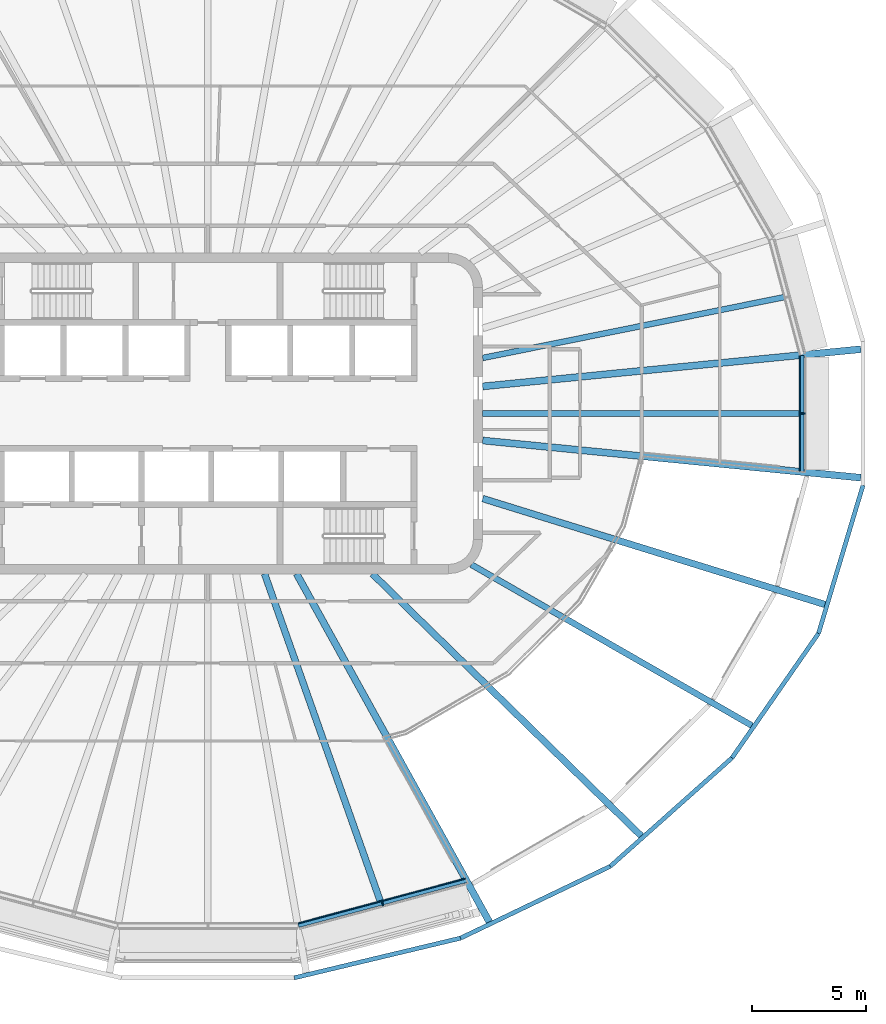
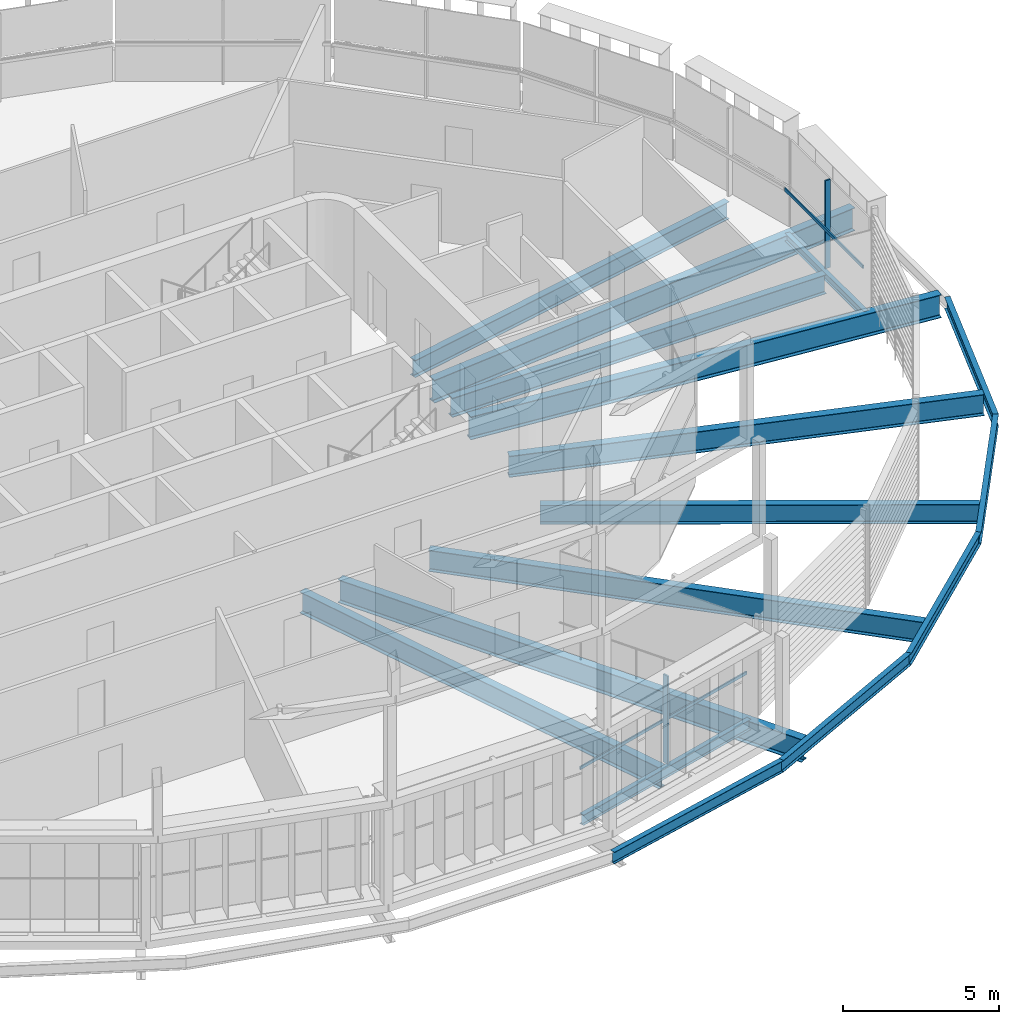
# One storey, part 3 of 18: 16 beams, 4 members, 2 elements without a shape of their own.
"""IFC4 building model written with IfcOpenShell, lengths in metres."""

from ifc_helpers import new_model, si_unit, direction, frame, origin, origin_2d, place, context, subcontext, project, spatial, rectangle, i_section, extrude, material, layer, layer_set, material_profile, profile_set, type_object, element, aggregate, save


model = new_model("IFC4")

# Units and contexts
model_context = context("Model", 3, precision=1e-05, world=origin(), true_north=direction((0.0, 1.0)))
body_context = subcontext(model_context, "Body", "Model", "MODEL_VIEW")
ifc_project = project(units=[si_unit("LENGTHUNIT", "METRE"), si_unit("AREAUNIT", "SQUARE_METRE"), si_unit("VOLUMEUNIT", "CUBIC_METRE"), si_unit("PLANEANGLEUNIT", "RADIAN"), si_unit("MASSUNIT", "GRAM", prefix="KILO")], contexts=[model_context])

# Site, building, storey
site_placement = place(None, origin())
site = spatial("IfcSite", under=ifc_project, at=site_placement, CompositionType="ELEMENT")
building_placement = place(site_placement, origin())
building = spatial("IfcBuilding", under=site, at=building_placement, Name="Sahrelin Media Tower", CompositionType="ELEMENT")
storey_placement = place(building_placement, frame((0.0, 0.0, 308.39990234375)))
storey = spatial("IfcBuildingStorey", under=building, at=storey_placement, Name="L68", CompositionType="ELEMENT", Elevation=308.39990234375)

# Beams
ifc_material_1 = material(Name="Steel S355", Category="steel")
ifc_material_profile_1 = material_profile(ifc_material_1, i_section(OverallWidth=0.1650390625, OverallDepth=0.303466796875, WebThickness=0.006103515625, FlangeThickness=0.01025390625, FilletRadius=0.0087890625, at=origin_2d()), Name="UB 305x165x40")
ifc_profile_set_1 = profile_set([ifc_material_profile_1], Name="Steel S355")
beam_type_1 = type_object("IfcBeamType", Name="Edge beam EB2", PredefinedType="BEAM", material=ifc_profile_set_1)
beam_1_placement = place(storey_placement, frame((25.948486328125, 2.53369140625, -0.301513671875), z_axis=(0.0, -1.0, 0.0), x_axis=(1.0, 0.0, 0.0)))
element("IfcBeam", 1, at=beam_1_placement, inside=storey, type_object=beam_type_1, Name="Edge beam L68-01", PredefinedType="BEAM", context=body_context, shape_type="SweptSolid", body=[
    extrude(i_section(OverallWidth=0.1650390625, OverallDepth=0.303466796875, WebThickness=0.006103515625, FlangeThickness=0.01025390625, FilletRadius=0.0087890625, at=origin_2d()), origin(), (0.0, 0.0, 1.0), 5.0673828125),
])
ifc_material_profile_2 = material_profile(ifc_material_1, i_section(OverallWidth=0.177978515625, OverallDepth=0.406494140625, WebThickness=0.0078125, FlangeThickness=0.0126953125, FilletRadius=0.01025390625, at=origin_2d()), Name="UB 406x178x60")
ifc_profile_set_2 = profile_set([ifc_material_profile_2], Name="Steel S355")
beam_type_2 = type_object("IfcBeamType", Name="Edge beam EB4", PredefinedType="BEAM", material=ifc_profile_set_2)
beam_2_placement = place(storey_placement, frame((11.292236328125, -20.39306640625, -0.35302734375), z_axis=(-0.965929690155, -0.258804624528, 0.0), x_axis=(0.258804624528, -0.965929690155, 0.0)))
element("IfcBeam", 2, at=beam_2_placement, inside=storey, type_object=beam_type_2, Name="Edge beam L68-02", PredefinedType="BEAM", context=body_context, shape_type="SweptSolid", body=[
    extrude(i_section(OverallWidth=0.177978515625, OverallDepth=0.406494140625, WebThickness=0.0078125, FlangeThickness=0.0126953125, FilletRadius=0.01025390625, at=origin_2d()), origin(), (0.0, 0.0, 1.0), 7.5966796875),
])

# Curtain wall, member
ifc_material_2 = material(Name="Champagne anodised aluminium 6063-T6", Category="aluminium")
ifc_layer = layer(ifc_material_2, 0.14990234375)
ifc_layer_set = layer_set([ifc_layer], Name="Tower ribbon curtain wall")
curtain_wall_type = type_object("IfcCurtainWallType", Name="Tower ribbon curtain wall", PredefinedType="NOTDEFINED", material=ifc_layer_set)
curtain_wall_1_placement = place(storey_placement, frame((26.098388671875, 0.0, 0.0), z_axis=(0.0, 0.0, 1.0), x_axis=(1.0, 0.0, 0.0)))
curtain_wall_1 = element("IfcCurtainWall", 3, at=curtain_wall_1_placement, inside=storey, type_object=curtain_wall_type, Name="L68:CW:L68-00", PredefinedType="NOTDEFINED")
ifc_material_profile_3 = material_profile(ifc_material_2, rectangle(XDim=0.06005859375, YDim=0.199951171875, at=origin_2d()), Name="Mullion 60x200")
ifc_profile_set_3 = profile_set([ifc_material_profile_3], Name="Champagne anodised aluminium 6063-T6")
member_type_1 = type_object("IfcMemberType", Name="Mullion 60x200 CW1C", PredefinedType="MULLION", material=ifc_profile_set_3)
member_1_placement = place(storey_placement, frame((25.978515625, 0.0, 0.0), z_axis=(0.0, 0.0, 1.0), x_axis=(0.0, 1.0, 0.0)))
member_1 = element("IfcMember", 4, at=member_1_placement, type_object=member_type_1, Name="L68:CWM:L68-00", PredefinedType="MULLION", context=body_context, shape_type="SweptSolid", body=[
    extrude(rectangle(XDim=0.06005859375, YDim=0.199951171875, at=origin_2d()), origin(), (0.0, 0.0, 1.0), 3.44873046875),
])

curtain_wall_2_placement = place(storey_placement, frame((7.662109375, -21.52099609375, 0.0), z_axis=(0.0, 0.0, 1.0), x_axis=(1.0, 0.0, 0.0)))
curtain_wall_2 = element("IfcCurtainWall", 5, at=curtain_wall_2_placement, inside=storey, type_object=curtain_wall_type, Name="L68:CW:L68-19", PredefinedType="NOTDEFINED")
member_2_placement = place(storey_placement, frame((7.631103515625, -21.405029296875, 0.0), z_axis=(0.0, 0.0, 1.0), x_axis=(0.965923115889, 0.25882916024, 0.0)))
member_2 = element("IfcMember", 6, at=member_2_placement, type_object=member_type_1, Name="L68:CWM:L68-19", PredefinedType="MULLION", context=body_context, shape_type="SweptSolid", body=[
    extrude(rectangle(XDim=0.06005859375, YDim=0.199951171875, at=origin_2d()), origin(), (0.0, 0.0, 1.0), 3.44873046875),
])

# Beams
ifc_material_profile_4 = material_profile(ifc_material_1, i_section(OverallWidth=0.291748046875, OverallDepth=0.8349609375, WebThickness=0.013916015625, FlangeThickness=0.018798828125, FilletRadius=0.017822265625, at=origin_2d()), Name="UB 838x292x176")
ifc_profile_set_4 = profile_set([ifc_material_profile_4], Name="Steel S355")
beam_type_3 = type_object("IfcBeamType", Name="Radial primary beam PB10", PredefinedType="BEAM", material=ifc_profile_set_4)
beam_3_placement = place(storey_placement, frame((7.18115234375, -7.0, -0.5673828125), z_axis=(0.716079394393, -0.69801883995, 0.0), x_axis=(0.69801883995, 0.716079394393, 0.0)))
element("IfcBeam", 7, at=beam_3_placement, inside=storey, type_object=beam_type_3, Name="Radial beam L68-21", PredefinedType="BEAM", context=body_context, shape_type="SweptSolid", body=[
    extrude(i_section(OverallWidth=0.291748046875, OverallDepth=0.8349609375, WebThickness=0.013916015625, FlangeThickness=0.018798828125, FilletRadius=0.017822265625, at=origin_2d()), origin(), (0.0, 0.0, 1.0), 16.397216796875),
])
beam_4_placement = place(storey_placement, frame((12.0, -3.71533203125, -0.5673828125), z_axis=(0.955257235415, -0.295776290779, 0.0), x_axis=(0.295776290779, 0.955257235415, 0.0)))
element("IfcBeam", 8, at=beam_4_placement, inside=storey, type_object=beam_type_3, Name="Radial beam L68-23", PredefinedType="BEAM", context=body_context, shape_type="SweptSolid", body=[
    extrude(i_section(OverallWidth=0.291748046875, OverallDepth=0.8349609375, WebThickness=0.013916015625, FlangeThickness=0.018798828125, FilletRadius=0.017822265625, at=origin_2d()), origin(), (0.0, 0.0, 1.0), 15.64501953125),
])
ifc_material_profile_5 = material_profile(ifc_material_1, i_section(OverallWidth=0.30322265625, OverallDepth=0.903076171875, WebThickness=0.01513671875, FlangeThickness=0.020263671875, FilletRadius=0.01904296875, at=origin_2d()), Name="UB 914x305x201")
ifc_profile_set_5 = profile_set([ifc_material_profile_5], Name="Steel S355")
beam_type_4 = type_object("IfcBeamType", Name="Radial primary beam PB11", PredefinedType="BEAM", material=ifc_profile_set_5)
beam_5_placement = place(storey_placement, frame((12.0, 1.1806640625, -0.601318359375), z_axis=(0.995194121011, 0.097921711106, 0.0), x_axis=(-0.097921711106, 0.995194121011, 0.0)))
element("IfcBeam", 9, at=beam_5_placement, inside=storey, type_object=beam_type_4, Name="Radial beam L68-01", PredefinedType="BEAM", context=body_context, shape_type="SweptSolid", body=[
    extrude(i_section(OverallWidth=0.30322265625, OverallDepth=0.903076171875, WebThickness=0.01513671875, FlangeThickness=0.020263671875, FilletRadius=0.01904296875, at=origin_2d()), origin(), (0.0, 0.0, 1.0), 16.594970703125),
])
beam_6_placement = place(storey_placement, frame((3.875, -7.0, -0.601318359375), z_axis=(0.484314730832, -0.874893845846, 0.0), x_axis=(0.874893845846, 0.484314730832, 0.0)))
element("IfcBeam", 10, at=beam_6_placement, inside=storey, type_object=beam_type_4, Name="Radial beam L68-20", PredefinedType="BEAM", context=body_context, shape_type="SweptSolid", body=[
    extrude(i_section(OverallWidth=0.30322265625, OverallDepth=0.903076171875, WebThickness=0.01513671875, FlangeThickness=0.020263671875, FilletRadius=0.01904296875, at=origin_2d()), origin(), (0.0, 0.0, 1.0), 17.377685546875),
])
beam_7_placement = place(storey_placement, frame((12.0, -1.1806640625, -0.601318359375), z_axis=(0.995194121011, -0.097921711106, 0.0), x_axis=(0.097921711106, 0.995194121011, 0.0)))
element("IfcBeam", 11, at=beam_7_placement, inside=storey, type_object=beam_type_4, Name="Radial beam L68-24", PredefinedType="BEAM", context=body_context, shape_type="SweptSolid", body=[
    extrude(i_section(OverallWidth=0.30322265625, OverallDepth=0.903076171875, WebThickness=0.01513671875, FlangeThickness=0.020263671875, FilletRadius=0.01904296875, at=origin_2d()), origin(), (0.0, 0.0, 1.0), 16.594970703125),
])
ifc_material_profile_6 = material_profile(ifc_material_1, i_section(OverallWidth=0.26513671875, OverallDepth=0.75390625, WebThickness=0.0126953125, FlangeThickness=0.017578125, FilletRadius=0.0166015625, at=origin_2d()), Name="UB 762x267x147")
ifc_profile_set_6 = profile_set([ifc_material_profile_6], Name="Steel S355")
beam_type_5 = type_object("IfcBeamType", Name="Radial primary beam PB9", PredefinedType="BEAM", material=ifc_profile_set_6)
beam_8_placement = place(storey_placement, frame((11.507080078125, -6.601806640625, -0.52685546875), z_axis=(0.86737459945, -0.497655808998, 0.0), x_axis=(0.497655808998, 0.86737459945, 0.0)))
element("IfcBeam", 12, at=beam_8_placement, inside=storey, type_object=beam_type_5, Name="Radial beam L68-22", PredefinedType="BEAM", context=body_context, shape_type="SweptSolid", body=[
    extrude(i_section(OverallWidth=0.26513671875, OverallDepth=0.75390625, WebThickness=0.0126953125, FlangeThickness=0.017578125, FilletRadius=0.0166015625, at=origin_2d()), origin(), (0.0, 0.0, 1.0), 14.119384765625),
])
ifc_material_profile_7 = material_profile(ifc_material_1, i_section(OverallWidth=0.291748046875, OverallDepth=0.8349609375, WebThickness=0.013916015625, FlangeThickness=0.018798828125, FilletRadius=0.017822265625, at=origin_2d()), Name="UB 838x292x176")
ifc_profile_set_7 = profile_set([ifc_material_profile_7], Name="Steel S355")
beam_type_6 = type_object("IfcBeamType", Name="Radial secondary beam SB10", PredefinedType="BEAM", material=ifc_profile_set_7)
beam_9_placement = place(storey_placement, frame((2.47509765625, -7.0, -0.5673828125), z_axis=(0.333328328269, -0.942810811125, 0.0), x_axis=(0.942810811125, 0.333328328269, 0.0)))
element("IfcBeam", 13, at=beam_9_placement, inside=storey, type_object=beam_type_6, Name="Secondary beam L68-19", PredefinedType="BEAM", context=body_context, shape_type="SweptSolid", body=[
    extrude(i_section(OverallWidth=0.291748046875, OverallDepth=0.8349609375, WebThickness=0.013916015625, FlangeThickness=0.018798828125, FilletRadius=0.017822265625, at=origin_2d()), origin(), (0.0, 0.0, 1.0), 15.176025390625),
])
ifc_material_profile_8 = material_profile(ifc_material_1, i_section(OverallWidth=0.2529296875, OverallDepth=0.677978515625, WebThickness=0.01171875, FlangeThickness=0.01611328125, FilletRadius=0.01513671875, at=origin_2d()), Name="UB 686x254x125")
ifc_profile_set_8 = profile_set([ifc_material_profile_8], Name="Steel S355")
beam_type_7 = type_object("IfcBeamType", Name="Radial secondary beam SB8", PredefinedType="BEAM", material=ifc_profile_set_8)
beam_10_placement = place(storey_placement, frame((12.0, 2.422119140625, -0.489013671875), z_axis=(0.980230748131, 0.19785772772, 0.0), x_axis=(-0.19785772772, 0.980230748131, 0.0)))
element("IfcBeam", 14, at=beam_10_placement, inside=storey, type_object=beam_type_7, Name="Secondary beam L68-01", PredefinedType="BEAM", context=body_context, shape_type="SweptSolid", body=[
    extrude(i_section(OverallWidth=0.2529296875, OverallDepth=0.677978515625, WebThickness=0.01171875, FlangeThickness=0.01611328125, FilletRadius=0.01513671875, at=origin_2d()), origin(), (0.0, 0.0, 1.0), 13.44970703125),
])
ifc_material_profile_9 = material_profile(ifc_material_1, i_section(OverallWidth=0.26513671875, OverallDepth=0.75390625, WebThickness=0.0126953125, FlangeThickness=0.017578125, FilletRadius=0.0166015625, at=origin_2d()), Name="UB 762x267x147")
ifc_profile_set_9 = profile_set([ifc_material_profile_9], Name="Steel S355")
beam_type_8 = type_object("IfcBeamType", Name="Radial secondary beam SB9", PredefinedType="BEAM", material=ifc_profile_set_9)
beam_11_placement = place(storey_placement, frame((12.0, 0.0, -0.52685546875), z_axis=(1.0, 0.0, 0.0), x_axis=(0.0, 1.0, 0.0)))
element("IfcBeam", 15, at=beam_11_placement, inside=storey, type_object=beam_type_8, Name="Secondary beam L68-20", PredefinedType="BEAM", context=body_context, shape_type="SweptSolid", body=[
    extrude(i_section(OverallWidth=0.26513671875, OverallDepth=0.75390625, WebThickness=0.0126953125, FlangeThickness=0.017578125, FilletRadius=0.0166015625, at=origin_2d()), origin(), (0.0, 0.0, 1.0), 13.865966796875),
])
ifc_material_profile_10 = material_profile(ifc_material_1, i_section(OverallWidth=0.1904296875, OverallDepth=0.45703125, WebThickness=0.009033203125, FlangeThickness=0.014404296875, FilletRadius=0.01025390625, at=origin_2d()), Name="UB 457x191x74")
ifc_profile_set_10 = profile_set([ifc_material_profile_10], Name="Steel S355")
beam_type_9 = type_object("IfcBeamType", Name="Tie chord TC5", PredefinedType="BEAM", material=ifc_profile_set_10)
beam_12_placement = place(storey_placement, frame((3.77392578125, -24.644775390625, -0.37841796875), z_axis=(0.972666766024, 0.232205431184, 0.0), x_axis=(-0.232205431184, 0.972666766024, 0.0)))
element("IfcBeam", 16, at=beam_12_placement, inside=storey, type_object=beam_type_9, Name="Tie chord L68-19", PredefinedType="BEAM", context=body_context, shape_type="SweptSolid", body=[
    extrude(i_section(OverallWidth=0.1904296875, OverallDepth=0.45703125, WebThickness=0.009033203125, FlangeThickness=0.014404296875, FilletRadius=0.01025390625, at=origin_2d()), origin(), (0.0, 0.0, 1.0), 7.467041015625),
])
beam_13_placement = place(storey_placement, frame((11.036865234375, -22.910888671875, -0.37841796875), z_axis=(0.90162182646, 0.432525238629, 0.0), x_axis=(-0.432525238629, 0.90162182646, 0.0)))
element("IfcBeam", 17, at=beam_13_placement, inside=storey, type_object=beam_type_9, Name="Tie chord L68-20", PredefinedType="BEAM", context=body_context, shape_type="SweptSolid", body=[
    extrude(i_section(OverallWidth=0.1904296875, OverallDepth=0.45703125, WebThickness=0.009033203125, FlangeThickness=0.014404296875, FilletRadius=0.01025390625, at=origin_2d()), origin(), (0.0, 0.0, 1.0), 7.249755859375),
])
beam_14_placement = place(storey_placement, frame((17.573486328125, -19.775146484375, -0.37841796875), z_axis=(0.746646529898, 0.665220985381, 0.0), x_axis=(-0.665220985381, 0.746646529898, 0.0)))
element("IfcBeam", 18, at=beam_14_placement, inside=storey, type_object=beam_type_9, Name="Tie chord L68-21", PredefinedType="BEAM", context=body_context, shape_type="SweptSolid", body=[
    extrude(i_section(OverallWidth=0.1904296875, OverallDepth=0.45703125, WebThickness=0.009033203125, FlangeThickness=0.014404296875, FilletRadius=0.01025390625, at=origin_2d()), origin(), (0.0, 0.0, 1.0), 7.12109375),
])
beam_15_placement = place(storey_placement, frame((22.890380859375, -15.0380859375, -0.37841796875), z_axis=(0.570612314309, 0.821219572806, 0.0), x_axis=(-0.821219572806, 0.570612314309, 0.0)))
element("IfcBeam", 19, at=beam_15_placement, inside=storey, type_object=beam_type_9, Name="Tie chord L68-22", PredefinedType="BEAM", context=body_context, shape_type="SweptSolid", body=[
    extrude(i_section(OverallWidth=0.1904296875, OverallDepth=0.45703125, WebThickness=0.009033203125, FlangeThickness=0.014404296875, FilletRadius=0.01025390625, at=origin_2d()), origin(), (0.0, 0.0, 1.0), 6.61376953125),
])
beam_16_placement = place(storey_placement, frame((26.664306640625, -9.606689453125, -0.37841796875), z_axis=(0.287994186916, 0.957632157095, 0.0), x_axis=(-0.957632157095, 0.287994186916, 0.0)))
element("IfcBeam", 20, at=beam_16_placement, inside=storey, type_object=beam_type_9, Name="Tie chord L68-23", PredefinedType="BEAM", context=body_context, shape_type="SweptSolid", body=[
    extrude(i_section(OverallWidth=0.1904296875, OverallDepth=0.45703125, WebThickness=0.009033203125, FlangeThickness=0.014404296875, FilletRadius=0.01025390625, at=origin_2d()), origin(), (0.0, 0.0, 1.0), 6.75732421875),
])

# Member
ifc_material_profile_11 = material_profile(ifc_material_2, rectangle(XDim=0.050048828125, YDim=0.1201171875, at=origin_2d()), Name="Transom 50x120")
ifc_profile_set_11 = profile_set([ifc_material_profile_11], Name="Champagne anodised aluminium 6063-T6")
member_type_2 = type_object("IfcMemberType", Name="Transom 50x120 CW1C", PredefinedType="USERDEFINED", material=ifc_profile_set_11)
member_3_placement = place(storey_placement, frame((25.853515625, -2.517822265625, 1.60009765625), z_axis=(0.0, 1.0, 0.0), x_axis=(-1.0, 0.0, 0.0)))
member_3 = element("IfcMember", 21, at=member_3_placement, type_object=member_type_2, Name="L68:CWT:L68-00", ObjectType="TRANSOM", PredefinedType="USERDEFINED", context=body_context, shape_type="SweptSolid", body=[
    extrude(rectangle(XDim=0.050048828125, YDim=0.1201171875, at=origin_2d()), origin(), (0.0, 0.0, 1.0), 5.03564453125),
])

aggregate(curtain_wall_1, [member_1, member_3])

member_4_placement = place(storey_placement, frame((3.945068359375, -22.263427734375, 1.60009765625), z_axis=(0.965925723654, 0.258819428142, 0.0), x_axis=(-0.258819428142, 0.965925723654, 0.0)))
member_4 = element("IfcMember", 22, at=member_4_placement, type_object=member_type_2, Name="L68:CWT:L68-19", ObjectType="TRANSOM", PredefinedType="USERDEFINED", context=body_context, shape_type="SweptSolid", body=[
    extrude(rectangle(XDim=0.050048828125, YDim=0.1201171875, at=origin_2d()), origin(), (0.0, 0.0, 1.0), 7.565185546875),
])

aggregate(curtain_wall_2, [member_2, member_4])

save(model, "model.ifc")
